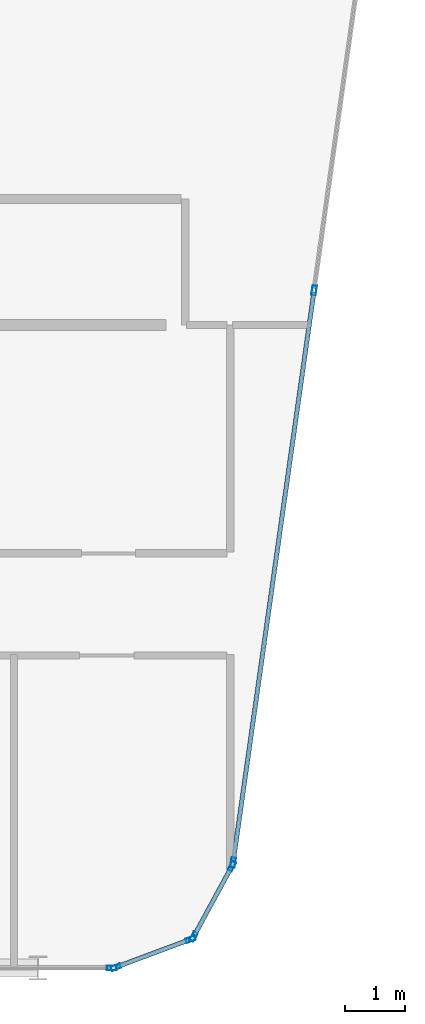
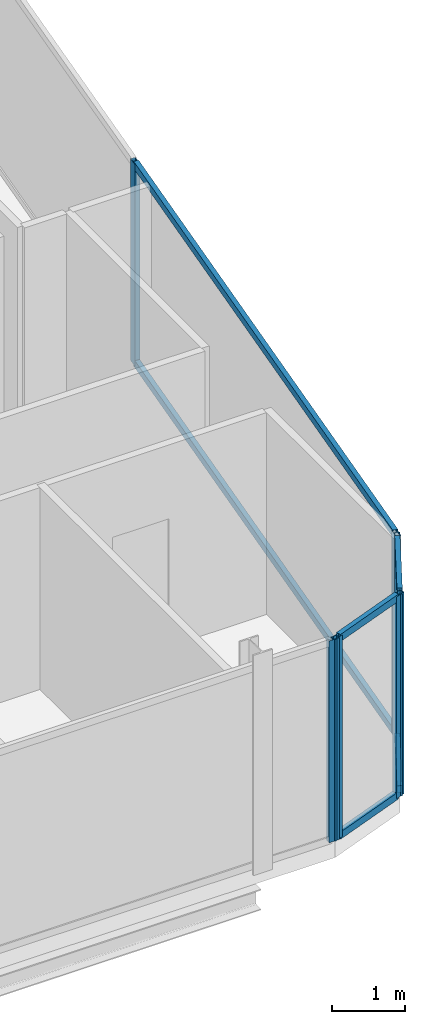
# One storey, part 12 of 27: 13 members, 4 elements without a shape of their own.
"""IFC4 building model written with IfcOpenShell, lengths in metres."""

from ifc_helpers import new_model, si_unit, direction, frame, origin, origin_2d, place, context, subcontext, project, spatial, hollow_rectangle, extrude, material, layer, layer_set, material_profile, profile_set, type_object, element, aggregate, save


model = new_model("IFC4")

# Units and contexts
model_context = context("Model", 3, precision=1e-05, world=origin(), true_north=direction((0.0, 1.0)))
body_context = subcontext(model_context, "Body", "Model", "MODEL_VIEW")
ifc_project = project(units=[si_unit("LENGTHUNIT", "METRE"), si_unit("AREAUNIT", "SQUARE_METRE"), si_unit("VOLUMEUNIT", "CUBIC_METRE"), si_unit("PLANEANGLEUNIT", "RADIAN"), si_unit("MASSUNIT", "GRAM", prefix="KILO")], contexts=[model_context])

# Site, building, storey
site_placement = place(None, origin())
site = spatial("IfcSite", under=ifc_project, at=site_placement, CompositionType="ELEMENT")
building_placement = place(site_placement, origin())
building = spatial("IfcBuilding", under=site, at=building_placement, Name="Keshet Zoharim Tower", CompositionType="ELEMENT")
storey_placement = place(building_placement, frame((0.0, 0.0, 291.699951171875)))
storey = spatial("IfcBuildingStorey", under=building, at=storey_placement, Name="L73", CompositionType="ELEMENT", Elevation=291.699951171875)

# Curtain wall, members
ifc_material = material(Name="Aluminium 6063-T6", Category="aluminium")
ifc_layer = layer(ifc_material, 0.260009765625)
ifc_layer_set = layer_set([ifc_layer], Name="Aluminium 6063-T6")
curtain_wall_type = type_object("IfcCurtainWallType", Name="CW-SYS-06", PredefinedType="NOTDEFINED", material=ifc_layer_set)
curtain_wall_1_placement = place(storey_placement, origin())
curtain_wall_1 = element("IfcCurtainWall", 1, at=curtain_wall_1_placement, inside=storey, type_object=curtain_wall_type, Name="L73 Unitised Curtain Wall 11", PredefinedType="NOTDEFINED")
ifc_material_profile_1 = material_profile(ifc_material, hollow_rectangle(XDim=0.074951171875, YDim=0.159912109375, WallThickness=0.00390625, at=origin_2d()), Name="MUL-75x160")
ifc_profile_set_1 = profile_set([ifc_material_profile_1], Name="Aluminium 6063-T6")
member_type_1 = type_object("IfcMemberType", Name="CWM-M15", PredefinedType="MULLION", material=ifc_profile_set_1)
member_1_placement = place(storey_placement, frame((43.595458984375, 17.97607421875, 0.0), z_axis=(0.0, 0.0, 1.0), x_axis=(0.990132057422, -0.140137464177, 0.0)))
member_1 = element("IfcMember", 2, at=member_1_placement, type_object=member_type_1, Name="CW-06 mullion 2", PredefinedType="MULLION", context=body_context, shape_type="SweptSolid", body=[
    extrude(hollow_rectangle(XDim=0.074951171875, YDim=0.159912109375, WallThickness=0.00390625, at=origin_2d()), origin(), (0.0, 0.0, 1.0), 3.39013671875),
])
member_2_placement = place(storey_placement, frame((42.247802734375, 8.45458984375, 0.0), z_axis=(0.0, 0.0, 1.0), x_axis=(0.990132057422, -0.140137464177, 0.0)))
member_2 = element("IfcMember", 3, at=member_2_placement, type_object=member_type_1, Name="CW-06 mullion 3", PredefinedType="MULLION", context=body_context, shape_type="SweptSolid", body=[
    extrude(hollow_rectangle(XDim=0.074951171875, YDim=0.159912109375, WallThickness=0.00390625, at=origin_2d()), origin(), (0.0, 0.0, 1.0), 3.39013671875),
])

curtain_wall_2_placement = place(storey_placement, origin())
curtain_wall_2 = element("IfcCurtainWall", 4, at=curtain_wall_2_placement, inside=storey, type_object=curtain_wall_type, Name="L73 Unitised Curtain Wall 12", PredefinedType="NOTDEFINED")
member_3_placement = place(storey_placement, frame((42.226318359375, 8.38916015625, 0.0), z_axis=(0.0, 0.0, 1.0), x_axis=(0.878468125004, -0.477800955789, 0.0)))
member_3 = element("IfcMember", 5, at=member_3_placement, type_object=member_type_1, Name="CW-06 mullion 1", PredefinedType="MULLION", context=body_context, shape_type="SweptSolid", body=[
    extrude(hollow_rectangle(XDim=0.074951171875, YDim=0.159912109375, WallThickness=0.00390625, at=origin_2d()), origin(), (0.0, 0.0, 1.0), 3.39013671875),
])
member_4_placement = place(storey_placement, frame((41.5908203125, 7.220703125, 0.0), z_axis=(0.0, 0.0, 1.0), x_axis=(0.878468125004, -0.477800955789, 0.0)))
member_4 = element("IfcMember", 6, at=member_4_placement, type_object=member_type_1, Name="CW-06 mullion 2", PredefinedType="MULLION", context=body_context, shape_type="SweptSolid", body=[
    extrude(hollow_rectangle(XDim=0.074951171875, YDim=0.159912109375, WallThickness=0.00390625, at=origin_2d()), origin(), (0.0, 0.0, 1.0), 3.39013671875),
])

curtain_wall_3_placement = place(storey_placement, origin())
curtain_wall_3 = element("IfcCurtainWall", 7, at=curtain_wall_3_placement, inside=storey, type_object=curtain_wall_type, Name="L73 Unitised Curtain Wall 13", PredefinedType="NOTDEFINED")
member_5_placement = place(storey_placement, frame((41.541259765625, 7.177734375, 0.0), z_axis=(0.0, 0.0, 1.0), x_axis=(0.350105315376, -0.936710343781, 0.0)))
member_5 = element("IfcMember", 8, at=member_5_placement, type_object=member_type_1, Name="CW-06 mullion 1", PredefinedType="MULLION", context=body_context, shape_type="SweptSolid", body=[
    extrude(hollow_rectangle(XDim=0.074951171875, YDim=0.159912109375, WallThickness=0.00390625, at=origin_2d()), origin(), (0.0, 0.0, 1.0), 3.39013671875),
])
member_6_placement = place(storey_placement, frame((40.2958984375, 6.712158203125, 0.0), z_axis=(0.0, 0.0, 1.0), x_axis=(0.350105315376, -0.936710343781, 0.0)))
member_6 = element("IfcMember", 9, at=member_6_placement, type_object=member_type_1, Name="CW-06 mullion 2", PredefinedType="MULLION", context=body_context, shape_type="SweptSolid", body=[
    extrude(hollow_rectangle(XDim=0.074951171875, YDim=0.159912109375, WallThickness=0.00390625, at=origin_2d()), origin(), (0.0, 0.0, 1.0), 3.39013671875),
])

# Curtain wall, member
curtain_wall_4_placement = place(storey_placement, origin())
curtain_wall_4 = element("IfcCurtainWall", 10, at=curtain_wall_4_placement, inside=storey, type_object=curtain_wall_type, Name="L73 Unitised Curtain Wall 14", PredefinedType="NOTDEFINED")
member_7_placement = place(storey_placement, frame((40.22802734375, 6.699951171875, 0.0), z_axis=(0.0, 0.0, 1.0), x_axis=(0.0, -1.0, 0.0)))
member_7 = element("IfcMember", 11, at=member_7_placement, type_object=member_type_1, Name="CW-06 mullion 1", PredefinedType="MULLION", context=body_context, shape_type="SweptSolid", body=[
    extrude(hollow_rectangle(XDim=0.074951171875, YDim=0.159912109375, WallThickness=0.00390625, at=origin_2d()), origin(), (0.0, 0.0, 1.0), 3.39013671875),
])
aggregate(curtain_wall_4, [member_7])

# Member
ifc_material_profile_2 = material_profile(ifc_material, hollow_rectangle(XDim=0.074951171875, YDim=0.1201171875, WallThickness=0.00390625, at=origin_2d()), Name="TRN-75x120")
ifc_profile_set_2 = profile_set([ifc_material_profile_2], Name="Aluminium 6063-T6")
member_type_2 = type_object("IfcMemberType", Name="CWT-T12", PredefinedType="USERDEFINED", material=ifc_profile_set_2)
member_8_placement = place(storey_placement, frame((43.590576171875, 17.94140625, 0.03515625), z_axis=(-0.14012154881, -0.990134309859, 0.0), x_axis=(0.990134309859, -0.14012154881, 0.0)))
member_8 = element("IfcMember", 12, at=member_8_placement, type_object=member_type_2, Name="CW-06 transom 2.1", ObjectType="TRANSOM", PredefinedType="USERDEFINED", context=body_context, shape_type="SweptSolid", body=[
    extrude(hollow_rectangle(XDim=0.074951171875, YDim=0.1201171875, WallThickness=0.00390625, at=origin_2d()), origin(), (0.0, 0.0, 1.0), 9.54638671875),
])

member_9_placement = place(storey_placement, frame((43.590576171875, 17.94140625, 3.35498046875), z_axis=(-0.14012154881, -0.990134309859, 0.0), x_axis=(0.990134309859, -0.14012154881, 0.0)))
member_9 = element("IfcMember", 13, at=member_9_placement, type_object=member_type_2, Name="CW-06 transom 2.2", ObjectType="TRANSOM", PredefinedType="USERDEFINED", context=body_context, shape_type="SweptSolid", body=[
    extrude(hollow_rectangle(XDim=0.074951171875, YDim=0.1201171875, WallThickness=0.00390625, at=origin_2d()), origin(), (0.0, 0.0, 1.0), 9.54638671875),
])

aggregate(curtain_wall_1, [member_1, member_2, member_8, member_9])

member_10_placement = place(storey_placement, frame((42.20947265625, 8.3583984375, 0.03515625), z_axis=(-0.47779293276, -0.878472488701, 0.0), x_axis=(0.878472488701, -0.47779293276, 0.0)))
member_10 = element("IfcMember", 14, at=member_10_placement, type_object=member_type_2, Name="CW-06 transom 1.1", ObjectType="TRANSOM", PredefinedType="USERDEFINED", context=body_context, shape_type="SweptSolid", body=[
    extrude(hollow_rectangle(XDim=0.074951171875, YDim=0.1201171875, WallThickness=0.00390625, at=origin_2d()), origin(), (0.0, 0.0, 1.0), 1.260009765625),
])

member_11_placement = place(storey_placement, frame((42.20947265625, 8.3583984375, 3.35498046875), z_axis=(-0.47779293276, -0.878472488701, 0.0), x_axis=(0.878472488701, -0.47779293276, 0.0)))
member_11 = element("IfcMember", 15, at=member_11_placement, type_object=member_type_2, Name="CW-06 transom 1.2", ObjectType="TRANSOM", PredefinedType="USERDEFINED", context=body_context, shape_type="SweptSolid", body=[
    extrude(hollow_rectangle(XDim=0.074951171875, YDim=0.1201171875, WallThickness=0.00390625, at=origin_2d()), origin(), (0.0, 0.0, 1.0), 1.260009765625),
])

aggregate(curtain_wall_2, [member_3, member_4, member_10, member_11])

member_12_placement = place(storey_placement, frame((41.508544921875, 7.16552734375, 0.03515625), z_axis=(-0.93673477759, -0.350039935512, 0.0), x_axis=(0.350039935512, -0.93673477759, 0.0)))
member_12 = element("IfcMember", 16, at=member_12_placement, type_object=member_type_2, Name="CW-06 transom 1.1", ObjectType="TRANSOM", PredefinedType="USERDEFINED", context=body_context, shape_type="SweptSolid", body=[
    extrude(hollow_rectangle(XDim=0.074951171875, YDim=0.1201171875, WallThickness=0.00390625, at=origin_2d()), origin(), (0.0, 0.0, 1.0), 1.259521484375),
])

member_13_placement = place(storey_placement, frame((41.508544921875, 7.16552734375, 3.35498046875), z_axis=(-0.93673477759, -0.350039935512, 0.0), x_axis=(0.350039935512, -0.93673477759, 0.0)))
member_13 = element("IfcMember", 17, at=member_13_placement, type_object=member_type_2, Name="CW-06 transom 1.2", ObjectType="TRANSOM", PredefinedType="USERDEFINED", context=body_context, shape_type="SweptSolid", body=[
    extrude(hollow_rectangle(XDim=0.074951171875, YDim=0.1201171875, WallThickness=0.00390625, at=origin_2d()), origin(), (0.0, 0.0, 1.0), 1.259521484375),
])

aggregate(curtain_wall_3, [member_5, member_6, member_12, member_13])

save(model, "model.ifc")
